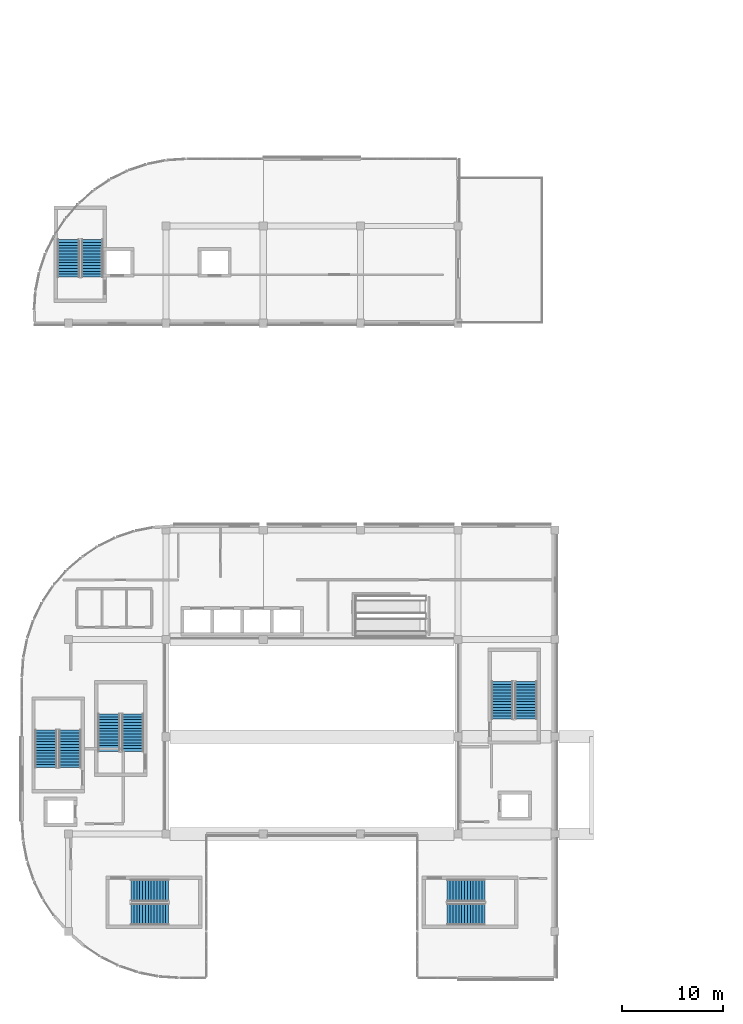
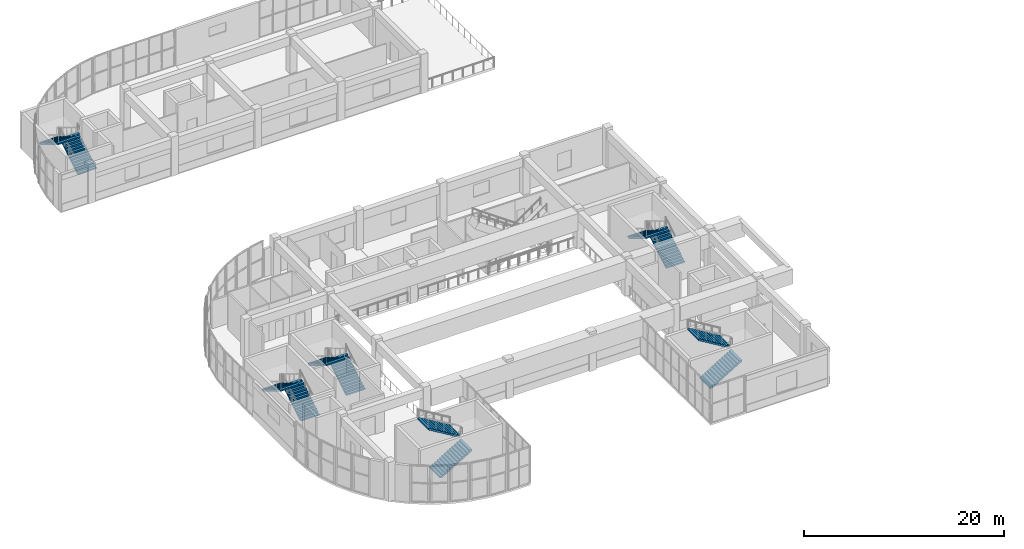
# One storey, part 26 of 33: 12 stair flights, 6 elements without a shape of their own.
"""IFC4 building model written with IfcOpenShell, lengths in metres."""

from ifc_helpers import new_model, si_unit, direction, frame, origin, place, context, subcontext, project, spatial, polyline, outline, extrude, material, layer, layer_set, type_object, element, aggregate, save


model = new_model("IFC4")

# Units and contexts
model_context = context("Model", 3, precision=1e-05, world=origin(), true_north=direction((0.0, 1.0)))
body_context = subcontext(model_context, "Body", "Model", "MODEL_VIEW")
ifc_project = project(units=[si_unit("LENGTHUNIT", "METRE"), si_unit("AREAUNIT", "SQUARE_METRE"), si_unit("VOLUMEUNIT", "CUBIC_METRE"), si_unit("PLANEANGLEUNIT", "RADIAN"), si_unit("MASSUNIT", "GRAM", prefix="KILO")], contexts=[model_context])

# Site, building, storey
site_placement = place(None, origin())
site = spatial("IfcSite", under=ifc_project, at=site_placement, CompositionType="ELEMENT")
building_placement = place(site_placement, origin())
building = spatial("IfcBuilding", under=site, at=building_placement, Name="Cendralis Terraced Arcade", CompositionType="ELEMENT")
storey_placement = place(building_placement, frame((0.0, 0.0, 19.800048828125)))
storey = spatial("IfcBuildingStorey", under=building, at=storey_placement, Name="L04", CompositionType="ELEMENT", Elevation=19.800048828125)

# Stair, stair flights
ifc_material = material(Name="Concrete f'c 35 MPa", Category="concrete")
stair_type = type_object("IfcStairType", Name="STR-W215-H480", PredefinedType="HALF_TURN_STAIR", material=ifc_material)
stair_1_placement = place(storey_placement, origin())
stair_1 = element("IfcStair", 1, at=stair_1_placement, inside=storey, type_object=stair_type, Name="L04 Protected Exit Stair ST-01", PredefinedType="HALF_TURN_STAIR")
ifc_layer = layer(ifc_material, 0.159912109375, Name="FLT-W215-H480")
ifc_layer_set = layer_set([ifc_layer], Name="Concrete f'c 35 MPa")
stair_flight_type = type_object("IfcStairFlightType", Name="FLT-W215-H480", PredefinedType="STRAIGHT", material=ifc_layer_set)
stair_flight_1_placement = place(storey_placement, frame((9.72509765625, 25.75, 0.0), z_axis=(0.0, 0.0, 1.0), x_axis=(0.0, 1.0, 0.0)))
stair_flight_1 = element("IfcStairFlight", 2, at=stair_flight_1_placement, type_object=stair_flight_type, Name="ST-01 flight 1", NumberOfRisers=14, NumberOfTreads=13, PredefinedType="STRAIGHT", RiserHeight=0.171428571, TreadLength=0.285, context=body_context, shape_type="SweptSolid", body=[
    extrude(outline(polyline([(0.0, 0.0), (0.0, 0.17138671875), (0.284912109375, 0.17138671875), (0.284912109375, 0.3427734375), (0.570068359375, 0.3427734375), (0.570068359375, 0.514404296875), (0.85498046875, 0.514404296875), (0.85498046875, 0.685791015625), (1.139892578125, 0.685791015625), (1.139892578125, 0.857177734375), (1.425048828125, 0.857177734375), (1.425048828125, 1.028564453125), (1.7099609375, 1.028564453125), (1.7099609375, 1.199951171875), (1.9951171875, 1.199951171875), (1.9951171875, 1.371337890625), (2.280029296875, 1.371337890625), (2.280029296875, 1.54296875), (2.56494140625, 1.54296875), (2.56494140625, 1.71435546875), (2.85009765625, 1.71435546875), (2.85009765625, 1.8857421875), (3.135009765625, 1.8857421875), (3.135009765625, 2.05712890625), (3.419921875, 2.05712890625), (3.419921875, 2.228515625), (3.705078125, 2.228515625), (3.705078125, 2.39990234375), (3.705078125, 2.0537109375), (0.290771484375, 0.0), (0.0, 0.0)])), frame((0.0, 1.074951171875, 0.0), z_axis=(0.0, -1.0, 0.0), x_axis=(1.0, 0.0, 0.0)), (0.0, 0.0, 1.0), 2.14990234375),
])
stair_flight_2_placement = place(storey_placement, frame((7.375, 29.455078125, 2.39990234375), z_axis=(0.0, 0.0, 1.0), x_axis=(0.0, -1.0, 0.0)))
stair_flight_2 = element("IfcStairFlight", 3, at=stair_flight_2_placement, type_object=stair_flight_type, Name="ST-01 flight 2", NumberOfRisers=14, NumberOfTreads=13, PredefinedType="STRAIGHT", RiserHeight=0.171428571, TreadLength=0.285, context=body_context, shape_type="SweptSolid", body=[
    extrude(outline(polyline([(0.0, 0.0), (0.0, 0.17138671875), (0.284912109375, 0.17138671875), (0.284912109375, 0.3427734375), (0.570068359375, 0.3427734375), (0.570068359375, 0.514404296875), (0.85498046875, 0.514404296875), (0.85498046875, 0.685791015625), (1.139892578125, 0.685791015625), (1.139892578125, 0.857177734375), (1.425048828125, 0.857177734375), (1.425048828125, 1.028564453125), (1.7099609375, 1.028564453125), (1.7099609375, 1.199951171875), (1.9951171875, 1.199951171875), (1.9951171875, 1.371337890625), (2.280029296875, 1.371337890625), (2.280029296875, 1.54296875), (2.56494140625, 1.54296875), (2.56494140625, 1.71435546875), (2.85009765625, 1.71435546875), (2.85009765625, 1.8857421875), (3.135009765625, 1.8857421875), (3.135009765625, 2.05712890625), (3.419921875, 2.05712890625), (3.419921875, 2.228515625), (3.705078125, 2.228515625), (3.705078125, 2.39990234375), (3.705078125, 2.0537109375), (0.290771484375, 0.0), (0.0, 0.0)])), frame((0.0, 1.074951171875, 0.0), z_axis=(0.0, -1.0, 0.0), x_axis=(1.0, 0.0, 0.0)), (0.0, 0.0, 1.0), 2.14990234375),
])
aggregate(stair_1, [stair_flight_1, stair_flight_2])

stair_2_placement = place(storey_placement, origin())
stair_2 = element("IfcStair", 4, at=stair_2_placement, inside=storey, type_object=stair_type, Name="L04 Protected Exit Stair ST-02", PredefinedType="HALF_TURN_STAIR")
stair_flight_3_placement = place(storey_placement, frame((15.75, 11.27490234375, 0.0), z_axis=(0.0, 0.0, 1.0), x_axis=(1.0, 0.0, 0.0)))
stair_flight_3 = element("IfcStairFlight", 5, at=stair_flight_3_placement, type_object=stair_flight_type, Name="ST-02 flight 1", NumberOfRisers=14, NumberOfTreads=13, PredefinedType="STRAIGHT", RiserHeight=0.171428571, TreadLength=0.285, context=body_context, shape_type="SweptSolid", body=[
    extrude(outline(polyline([(0.0, 0.0), (0.0, 0.17138671875), (0.284912109375, 0.17138671875), (0.284912109375, 0.3427734375), (0.570068359375, 0.3427734375), (0.570068359375, 0.514404296875), (0.85498046875, 0.514404296875), (0.85498046875, 0.685791015625), (1.139892578125, 0.685791015625), (1.139892578125, 0.857177734375), (1.425048828125, 0.857177734375), (1.425048828125, 1.028564453125), (1.7099609375, 1.028564453125), (1.7099609375, 1.199951171875), (1.9951171875, 1.199951171875), (1.9951171875, 1.371337890625), (2.280029296875, 1.371337890625), (2.280029296875, 1.54296875), (2.56494140625, 1.54296875), (2.56494140625, 1.71435546875), (2.85009765625, 1.71435546875), (2.85009765625, 1.8857421875), (3.135009765625, 1.8857421875), (3.135009765625, 2.05712890625), (3.419921875, 2.05712890625), (3.419921875, 2.228515625), (3.705078125, 2.228515625), (3.705078125, 2.39990234375), (3.705078125, 2.0537109375), (0.290771484375, 0.0), (0.0, 0.0)])), frame((0.0, 1.074951171875, 0.0), z_axis=(0.0, -1.0, 0.0), x_axis=(1.0, 0.0, 0.0)), (0.0, 0.0, 1.0), 2.14990234375),
])
stair_flight_4_placement = place(storey_placement, frame((19.455078125, 13.625, 2.39990234375), z_axis=(0.0, 0.0, 1.0), x_axis=(-1.0, 0.0, 0.0)))
stair_flight_4 = element("IfcStairFlight", 6, at=stair_flight_4_placement, type_object=stair_flight_type, Name="ST-02 flight 2", NumberOfRisers=14, NumberOfTreads=13, PredefinedType="STRAIGHT", RiserHeight=0.171428571, TreadLength=0.285, context=body_context, shape_type="SweptSolid", body=[
    extrude(outline(polyline([(0.0, 0.0), (0.0, 0.17138671875), (0.284912109375, 0.17138671875), (0.284912109375, 0.3427734375), (0.570068359375, 0.3427734375), (0.570068359375, 0.514404296875), (0.85498046875, 0.514404296875), (0.85498046875, 0.685791015625), (1.139892578125, 0.685791015625), (1.139892578125, 0.857177734375), (1.425048828125, 0.857177734375), (1.425048828125, 1.028564453125), (1.7099609375, 1.028564453125), (1.7099609375, 1.199951171875), (1.9951171875, 1.199951171875), (1.9951171875, 1.371337890625), (2.280029296875, 1.371337890625), (2.280029296875, 1.54296875), (2.56494140625, 1.54296875), (2.56494140625, 1.71435546875), (2.85009765625, 1.71435546875), (2.85009765625, 1.8857421875), (3.135009765625, 1.8857421875), (3.135009765625, 2.05712890625), (3.419921875, 2.05712890625), (3.419921875, 2.228515625), (3.705078125, 2.228515625), (3.705078125, 2.39990234375), (3.705078125, 2.0537109375), (0.290771484375, 0.0), (0.0, 0.0)])), frame((0.0, 1.074951171875, 0.0), z_axis=(0.0, -1.0, 0.0), x_axis=(1.0, 0.0, 0.0)), (0.0, 0.0, 1.0), 2.14990234375),
])
aggregate(stair_2, [stair_flight_3, stair_flight_4])

stair_3_placement = place(storey_placement, origin())
stair_3 = element("IfcStair", 7, at=stair_3_placement, inside=storey, type_object=stair_type, Name="L04 Protected Exit Stair ST-03", PredefinedType="HALF_TURN_STAIR")
stair_flight_5_placement = place(storey_placement, frame((46.949951171875, 11.27490234375, 0.0), z_axis=(0.0, 0.0, 1.0), x_axis=(1.0, 0.0, 0.0)))
stair_flight_5 = element("IfcStairFlight", 8, at=stair_flight_5_placement, type_object=stair_flight_type, Name="ST-03 flight 1", NumberOfRisers=14, NumberOfTreads=13, PredefinedType="STRAIGHT", RiserHeight=0.171428571, TreadLength=0.285, context=body_context, shape_type="SweptSolid", body=[
    extrude(outline(polyline([(0.0, 0.0), (0.0, 0.17138671875), (0.284912109375, 0.17138671875), (0.284912109375, 0.3427734375), (0.570068359375, 0.3427734375), (0.570068359375, 0.514404296875), (0.85498046875, 0.514404296875), (0.85498046875, 0.685791015625), (1.139892578125, 0.685791015625), (1.139892578125, 0.857177734375), (1.425048828125, 0.857177734375), (1.425048828125, 1.028564453125), (1.7099609375, 1.028564453125), (1.7099609375, 1.199951171875), (1.9951171875, 1.199951171875), (1.9951171875, 1.371337890625), (2.280029296875, 1.371337890625), (2.280029296875, 1.54296875), (2.56494140625, 1.54296875), (2.56494140625, 1.71435546875), (2.85009765625, 1.71435546875), (2.85009765625, 1.8857421875), (3.135009765625, 1.8857421875), (3.135009765625, 2.05712890625), (3.419921875, 2.05712890625), (3.419921875, 2.228515625), (3.705078125, 2.228515625), (3.705078125, 2.39990234375), (3.705078125, 2.0537109375), (0.290771484375, 0.0), (0.0, 0.0)])), frame((0.0, 1.074951171875, 0.0), z_axis=(0.0, -1.0, 0.0), x_axis=(1.0, 0.0, 0.0)), (0.0, 0.0, 1.0), 2.14990234375),
])
stair_flight_6_placement = place(storey_placement, frame((50.655029296875, 13.625, 2.39990234375), z_axis=(0.0, 0.0, 1.0), x_axis=(-1.0, 0.0, 0.0)))
stair_flight_6 = element("IfcStairFlight", 9, at=stair_flight_6_placement, type_object=stair_flight_type, Name="ST-03 flight 2", NumberOfRisers=14, NumberOfTreads=13, PredefinedType="STRAIGHT", RiserHeight=0.171428571, TreadLength=0.285, context=body_context, shape_type="SweptSolid", body=[
    extrude(outline(polyline([(0.0, 0.0), (0.0, 0.17138671875), (0.284912109375, 0.17138671875), (0.284912109375, 0.3427734375), (0.570068359375, 0.3427734375), (0.570068359375, 0.514404296875), (0.85498046875, 0.514404296875), (0.85498046875, 0.685791015625), (1.139892578125, 0.685791015625), (1.139892578125, 0.857177734375), (1.425048828125, 0.857177734375), (1.425048828125, 1.028564453125), (1.7099609375, 1.028564453125), (1.7099609375, 1.199951171875), (1.9951171875, 1.199951171875), (1.9951171875, 1.371337890625), (2.280029296875, 1.371337890625), (2.280029296875, 1.54296875), (2.56494140625, 1.54296875), (2.56494140625, 1.71435546875), (2.85009765625, 1.71435546875), (2.85009765625, 1.8857421875), (3.135009765625, 1.8857421875), (3.135009765625, 2.05712890625), (3.419921875, 2.05712890625), (3.419921875, 2.228515625), (3.705078125, 2.228515625), (3.705078125, 2.39990234375), (3.705078125, 2.0537109375), (0.290771484375, 0.0), (0.0, 0.0)])), frame((0.0, 1.074951171875, 0.0), z_axis=(0.0, -1.0, 0.0), x_axis=(1.0, 0.0, 0.0)), (0.0, 0.0, 1.0), 2.14990234375),
])
aggregate(stair_3, [stair_flight_5, stair_flight_6])

stair_4_placement = place(storey_placement, origin())
stair_4 = element("IfcStair", 10, at=stair_4_placement, inside=storey, type_object=stair_type, Name="L04 Protected Exit Stair ST-04", PredefinedType="HALF_TURN_STAIR")
stair_flight_7_placement = place(storey_placement, frame((54.72509765625, 30.550048828125, 0.0), z_axis=(0.0, 0.0, 1.0), x_axis=(0.0, 1.0, 0.0)))
stair_flight_7 = element("IfcStairFlight", 11, at=stair_flight_7_placement, type_object=stair_flight_type, Name="ST-04 flight 1", NumberOfRisers=14, NumberOfTreads=13, PredefinedType="STRAIGHT", RiserHeight=0.171428571, TreadLength=0.285, context=body_context, shape_type="SweptSolid", body=[
    extrude(outline(polyline([(0.0, 0.0), (0.0, 0.17138671875), (0.284912109375, 0.17138671875), (0.284912109375, 0.3427734375), (0.570068359375, 0.3427734375), (0.570068359375, 0.514404296875), (0.85498046875, 0.514404296875), (0.85498046875, 0.685791015625), (1.139892578125, 0.685791015625), (1.139892578125, 0.857177734375), (1.425048828125, 0.857177734375), (1.425048828125, 1.028564453125), (1.7099609375, 1.028564453125), (1.7099609375, 1.199951171875), (1.9951171875, 1.199951171875), (1.9951171875, 1.371337890625), (2.280029296875, 1.371337890625), (2.280029296875, 1.54296875), (2.56494140625, 1.54296875), (2.56494140625, 1.71435546875), (2.85009765625, 1.71435546875), (2.85009765625, 1.8857421875), (3.135009765625, 1.8857421875), (3.135009765625, 2.05712890625), (3.419921875, 2.05712890625), (3.419921875, 2.228515625), (3.705078125, 2.228515625), (3.705078125, 2.39990234375), (3.705078125, 2.0537109375), (0.290771484375, 0.0), (0.0, 0.0)])), frame((0.0, 1.074951171875, 0.0), z_axis=(0.0, -1.0, 0.0), x_axis=(1.0, 0.0, 0.0)), (0.0, 0.0, 1.0), 2.14990234375),
])
stair_flight_8_placement = place(storey_placement, frame((52.375, 34.2548828125, 2.39990234375), z_axis=(0.0, 0.0, 1.0), x_axis=(0.0, -1.0, 0.0)))
stair_flight_8 = element("IfcStairFlight", 12, at=stair_flight_8_placement, type_object=stair_flight_type, Name="ST-04 flight 2", NumberOfRisers=14, NumberOfTreads=13, PredefinedType="STRAIGHT", RiserHeight=0.171428571, TreadLength=0.285, context=body_context, shape_type="SweptSolid", body=[
    extrude(outline(polyline([(0.0, 0.0), (0.0, 0.17138671875), (0.284912109375, 0.17138671875), (0.284912109375, 0.3427734375), (0.570068359375, 0.3427734375), (0.570068359375, 0.514404296875), (0.85498046875, 0.514404296875), (0.85498046875, 0.685791015625), (1.139892578125, 0.685791015625), (1.139892578125, 0.857177734375), (1.425048828125, 0.857177734375), (1.425048828125, 1.028564453125), (1.7099609375, 1.028564453125), (1.7099609375, 1.199951171875), (1.9951171875, 1.199951171875), (1.9951171875, 1.371337890625), (2.280029296875, 1.371337890625), (2.280029296875, 1.54296875), (2.56494140625, 1.54296875), (2.56494140625, 1.71435546875), (2.85009765625, 1.71435546875), (2.85009765625, 1.8857421875), (3.135009765625, 1.8857421875), (3.135009765625, 2.05712890625), (3.419921875, 2.05712890625), (3.419921875, 2.228515625), (3.705078125, 2.228515625), (3.705078125, 2.39990234375), (3.705078125, 2.0537109375), (0.290771484375, 0.0), (0.0, 0.0)])), frame((0.0, 1.074951171875, 0.0), z_axis=(0.0, -1.0, 0.0), x_axis=(1.0, 0.0, 0.0)), (0.0, 0.0, 1.0), 2.14990234375),
])
aggregate(stair_4, [stair_flight_7, stair_flight_8])

stair_5_placement = place(storey_placement, origin())
stair_5 = element("IfcStair", 13, at=stair_5_placement, inside=storey, type_object=stair_type, Name="L04 Protected Exit Stair ST-05", PredefinedType="HALF_TURN_STAIR")
stair_flight_9_placement = place(storey_placement, frame((15.925048828125, 27.35009765625, 0.0), z_axis=(0.0, 0.0, 1.0), x_axis=(0.0, 1.0, 0.0)))
stair_flight_9 = element("IfcStairFlight", 14, at=stair_flight_9_placement, type_object=stair_flight_type, Name="ST-05 flight 1", NumberOfRisers=14, NumberOfTreads=13, PredefinedType="STRAIGHT", RiserHeight=0.171428571, TreadLength=0.285, context=body_context, shape_type="SweptSolid", body=[
    extrude(outline(polyline([(0.0, 0.0), (0.0, 0.17138671875), (0.284912109375, 0.17138671875), (0.284912109375, 0.3427734375), (0.570068359375, 0.3427734375), (0.570068359375, 0.514404296875), (0.85498046875, 0.514404296875), (0.85498046875, 0.685791015625), (1.139892578125, 0.685791015625), (1.139892578125, 0.857177734375), (1.425048828125, 0.857177734375), (1.425048828125, 1.028564453125), (1.7099609375, 1.028564453125), (1.7099609375, 1.199951171875), (1.9951171875, 1.199951171875), (1.9951171875, 1.371337890625), (2.280029296875, 1.371337890625), (2.280029296875, 1.54296875), (2.56494140625, 1.54296875), (2.56494140625, 1.71435546875), (2.85009765625, 1.71435546875), (2.85009765625, 1.8857421875), (3.135009765625, 1.8857421875), (3.135009765625, 2.05712890625), (3.419921875, 2.05712890625), (3.419921875, 2.228515625), (3.705078125, 2.228515625), (3.705078125, 2.39990234375), (3.705078125, 2.0537109375), (0.290771484375, 0.0), (0.0, 0.0)])), frame((0.0, 1.074951171875, 0.0), z_axis=(0.0, -1.0, 0.0), x_axis=(1.0, 0.0, 0.0)), (0.0, 0.0, 1.0), 2.14990234375),
])
stair_flight_10_placement = place(storey_placement, frame((13.574951171875, 31.054931640625, 2.39990234375), z_axis=(0.0, 0.0, 1.0), x_axis=(0.0, -1.0, 0.0)))
stair_flight_10 = element("IfcStairFlight", 15, at=stair_flight_10_placement, type_object=stair_flight_type, Name="ST-05 flight 2", NumberOfRisers=14, NumberOfTreads=13, PredefinedType="STRAIGHT", RiserHeight=0.171428571, TreadLength=0.285, context=body_context, shape_type="SweptSolid", body=[
    extrude(outline(polyline([(0.0, 0.0), (0.0, 0.17138671875), (0.284912109375, 0.17138671875), (0.284912109375, 0.3427734375), (0.570068359375, 0.3427734375), (0.570068359375, 0.514404296875), (0.85498046875, 0.514404296875), (0.85498046875, 0.685791015625), (1.139892578125, 0.685791015625), (1.139892578125, 0.857177734375), (1.425048828125, 0.857177734375), (1.425048828125, 1.028564453125), (1.7099609375, 1.028564453125), (1.7099609375, 1.199951171875), (1.9951171875, 1.199951171875), (1.9951171875, 1.371337890625), (2.280029296875, 1.371337890625), (2.280029296875, 1.54296875), (2.56494140625, 1.54296875), (2.56494140625, 1.71435546875), (2.85009765625, 1.71435546875), (2.85009765625, 1.8857421875), (3.135009765625, 1.8857421875), (3.135009765625, 2.05712890625), (3.419921875, 2.05712890625), (3.419921875, 2.228515625), (3.705078125, 2.228515625), (3.705078125, 2.39990234375), (3.705078125, 2.0537109375), (0.290771484375, 0.0), (0.0, 0.0)])), frame((0.0, 1.074951171875, 0.0), z_axis=(0.0, -1.0, 0.0), x_axis=(1.0, 0.0, 0.0)), (0.0, 0.0, 1.0), 2.14990234375),
])
aggregate(stair_5, [stair_flight_9, stair_flight_10])

stair_6_placement = place(storey_placement, origin())
stair_6 = element("IfcStair", 16, at=stair_6_placement, inside=storey, type_object=stair_type, Name="L04 Protected Exit Stair ST-07", PredefinedType="HALF_TURN_STAIR")
stair_flight_11_placement = place(storey_placement, frame((11.925048828125, 74.14990234375, 0.0), z_axis=(0.0, 0.0, 1.0), x_axis=(0.0, 1.0, 0.0)))
stair_flight_11 = element("IfcStairFlight", 17, at=stair_flight_11_placement, type_object=stair_flight_type, Name="ST-07 flight 1", NumberOfRisers=14, NumberOfTreads=13, PredefinedType="STRAIGHT", RiserHeight=0.171428571, TreadLength=0.285, context=body_context, shape_type="SweptSolid", body=[
    extrude(outline(polyline([(0.0, 0.0), (0.0, 0.17138671875), (0.284912109375, 0.17138671875), (0.284912109375, 0.3427734375), (0.570068359375, 0.3427734375), (0.570068359375, 0.514404296875), (0.85498046875, 0.514404296875), (0.85498046875, 0.685791015625), (1.139892578125, 0.685791015625), (1.139892578125, 0.857177734375), (1.425048828125, 0.857177734375), (1.425048828125, 1.028564453125), (1.7099609375, 1.028564453125), (1.7099609375, 1.199951171875), (1.9951171875, 1.199951171875), (1.9951171875, 1.371337890625), (2.280029296875, 1.371337890625), (2.280029296875, 1.54296875), (2.56494140625, 1.54296875), (2.56494140625, 1.71435546875), (2.85009765625, 1.71435546875), (2.85009765625, 1.8857421875), (3.135009765625, 1.8857421875), (3.135009765625, 2.05712890625), (3.419921875, 2.05712890625), (3.419921875, 2.228515625), (3.705078125, 2.228515625), (3.705078125, 2.39990234375), (3.705078125, 2.0537109375), (0.290771484375, 0.0), (0.0, 0.0)])), frame((0.0, 1.074951171875, 0.0), z_axis=(0.0, -1.0, 0.0), x_axis=(1.0, 0.0, 0.0)), (0.0, 0.0, 1.0), 2.14990234375),
])
stair_flight_12_placement = place(storey_placement, frame((9.574951171875, 77.85498046875, 2.39990234375), z_axis=(0.0, 0.0, 1.0), x_axis=(0.0, -1.0, 0.0)))
stair_flight_12 = element("IfcStairFlight", 18, at=stair_flight_12_placement, type_object=stair_flight_type, Name="ST-07 flight 2", NumberOfRisers=14, NumberOfTreads=13, PredefinedType="STRAIGHT", RiserHeight=0.171428571, TreadLength=0.285, context=body_context, shape_type="SweptSolid", body=[
    extrude(outline(polyline([(0.0, 0.0), (0.0, 0.17138671875), (0.284912109375, 0.17138671875), (0.284912109375, 0.3427734375), (0.570068359375, 0.3427734375), (0.570068359375, 0.514404296875), (0.85498046875, 0.514404296875), (0.85498046875, 0.685791015625), (1.139892578125, 0.685791015625), (1.139892578125, 0.857177734375), (1.425048828125, 0.857177734375), (1.425048828125, 1.028564453125), (1.7099609375, 1.028564453125), (1.7099609375, 1.199951171875), (1.9951171875, 1.199951171875), (1.9951171875, 1.371337890625), (2.280029296875, 1.371337890625), (2.280029296875, 1.54296875), (2.56494140625, 1.54296875), (2.56494140625, 1.71435546875), (2.85009765625, 1.71435546875), (2.85009765625, 1.8857421875), (3.135009765625, 1.8857421875), (3.135009765625, 2.05712890625), (3.419921875, 2.05712890625), (3.419921875, 2.228515625), (3.705078125, 2.228515625), (3.705078125, 2.39990234375), (3.705078125, 2.0537109375), (0.290771484375, 0.0), (0.0, 0.0)])), frame((0.0, 1.074951171875, 0.0), z_axis=(0.0, -1.0, 0.0), x_axis=(1.0, 0.0, 0.0)), (0.0, 0.0, 1.0), 2.14990234375),
])
aggregate(stair_6, [stair_flight_11, stair_flight_12])

save(model, "model.ifc")
